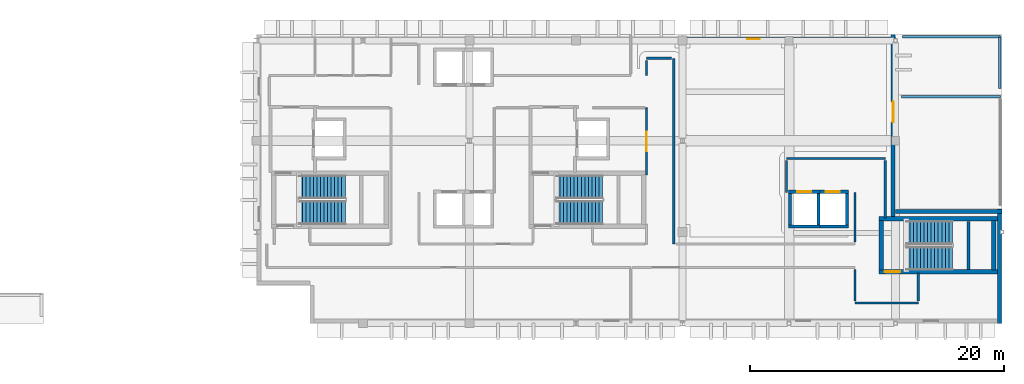
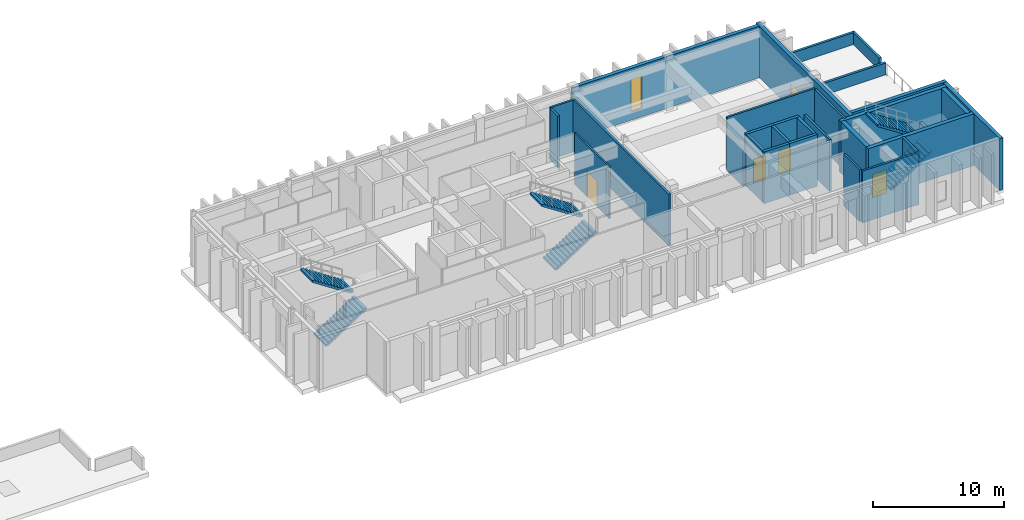
# One storey, part 7 of 9: 30 walls, 6 stair flights, 5 doors, 1 window, 6 openings, 3 elements without a shape of their own.
"""IFC4 building model written with IfcOpenShell, lengths in metres."""

from ifc_helpers import new_model, si_unit, direction, frame, frame_2d, origin, place, context, subcontext, project, spatial, polyline, rectangle, outline, extrude, material, layer, layer_set, type_object, element, fill, aggregate, save


model = new_model("IFC4")

# Units and contexts
model_context = context("Model", 3, precision=1e-05, world=origin(), true_north=direction((0.0, 1.0)))
body_context = subcontext(model_context, "Body", "Model", "MODEL_VIEW")
ifc_project = project(units=[si_unit("LENGTHUNIT", "METRE"), si_unit("AREAUNIT", "SQUARE_METRE"), si_unit("VOLUMEUNIT", "CUBIC_METRE"), si_unit("PLANEANGLEUNIT", "RADIAN"), si_unit("MASSUNIT", "GRAM", prefix="KILO")], contexts=[model_context])

# Site, building, storey
site_placement = place(None, origin())
site = spatial("IfcSite", under=ifc_project, at=site_placement, CompositionType="ELEMENT")
building_placement = place(site_placement, origin())
building = spatial("IfcBuilding", under=site, at=building_placement, Name="Quendrovan Civic Courthouse", CompositionType="ELEMENT")
storey_placement = place(building_placement, frame((0.0, 0.0, 30.60009765625)))
storey = spatial("IfcBuildingStorey", under=building, at=storey_placement, Name="L07", CompositionType="ELEMENT", Elevation=30.60009765625)

# Wall, opening, door
ifc_material_1 = material(Name="Acoustic gypsum stud partition")
ifc_layer_1 = layer(ifc_material_1, 0.139892578125, Name="Acoustic gypsum stud partition")
ifc_layer_set_1 = layer_set([ifc_layer_1], Name="Acoustic gypsum stud partition")
wall_type_1 = type_object("IfcWallType", Name="WL-CHM-140", PredefinedType="PARTITIONING", material=ifc_layer_set_1)
wall_1_placement = place(storey_placement, frame((64.35009765625, 104.60009765625, 0.0), z_axis=(0.0, 0.0, 1.0), x_axis=(0.0, -1.0, 0.0)))
wall_1 = element("IfcWall", 1, at=wall_1_placement, inside=storey, type_object=wall_type_1, Name="L07 Judicial Conference Room Partition 0827", PredefinedType="PARTITIONING", context=body_context, shape_type="SweptSolid", body=[
    extrude(rectangle(XDim=5.300048828125, YDim=0.139892578125, at=frame_2d((2.64990234375, 0.0))), origin(), (0.0, 0.0, 1.0), 4.83984375),
])
opening_1_placement = place(wall_1_placement, frame((1.889892578125, 0.0, 0.0)))
opening_1 = element("IfcOpeningElement", 2, at=opening_1_placement, cuts=wall_1, Name="Opening D-L07-119", PredefinedType="OPENING", context=body_context, shape_type="SweptSolid", body=[
    extrude(rectangle(XDim=1.52001953125, YDim=2.39990234375, at=frame_2d((0.760009765625, 1.199951171875))), frame((0.0, 0.080078125, 0.0), z_axis=(0.0, -1.0, 0.0), x_axis=(1.0, 0.0, 0.0)), (0.0, 0.0, 1.0), 0.159912109375),
])
ifc_material_2 = material(Name="Acoustic timber double-leaf door", Category="wood")
door_type_1 = type_object("IfcDoorType", Name="DR-CONF-1520", OperationType="NOTDEFINED", PredefinedType="DOOR", material=ifc_material_2)
door_1_placement = place(opening_1_placement, origin())
door_1 = element("IfcDoor", 3, at=door_1_placement, inside=storey, type_object=door_type_1, Name="L07 Judicial Conference Room Door D-L07-119", OperationType="SINGLE_SWING_RIGHT", OverallHeight=2.39990234375, OverallWidth=1.52001953125, PredefinedType="DOOR", context=body_context, shape_type="SweptSolid", body=[
    extrude(rectangle(XDim=1.52001953125, YDim=2.39990234375, at=frame_2d((0.760009765625, 1.199951171875))), frame((0.0, 0.02490234375, 0.0), z_axis=(0.0, -1.0, 0.0), x_axis=(1.0, 0.0, 0.0)), (0.0, 0.0, 1.0), 0.050048828125),
])
fill(opening_1, door_1)

ifc_material_3 = material(Name="Concrete C45/55", Category="concrete")
ifc_layer_2 = layer(ifc_material_3, 0.35009765625, Name="Concrete C45/55")
ifc_layer_set_2 = layer_set([ifc_layer_2], Name="Concrete C45/55")
wall_type_2 = type_object("IfcWallType", Name="WL-CORE-350", PredefinedType="SHEAR", material=ifc_layer_set_2)
wall_2_placement = place(storey_placement, frame((82.68994140625, 91.6650390625, 0.0), z_axis=(0.0, 0.0, 1.0), x_axis=(1.0, 0.0, 0.0)))
wall_2 = element("IfcWall", 4, at=wall_2_placement, inside=storey, type_object=wall_type_2, Name="L07 Core Shear Wall ST3-S", PredefinedType="SHEAR", context=body_context, shape_type="SweptSolid", body=[
    extrude(rectangle(XDim=9.41015625, YDim=0.35009765625, at=frame_2d((4.705078125, 0.0))), origin(), (0.0, 0.0, 1.0), 4.83984375),
])
opening_2_placement = place(wall_2_placement, frame((0.449951171875, 0.0, 0.0)))
opening_2 = element("IfcOpeningElement", 5, at=opening_2_placement, cuts=wall_2, Name="Opening DS-ST3-L07", PredefinedType="OPENING", context=body_context, shape_type="SweptSolid", body=[
    extrude(rectangle(XDim=1.25, YDim=2.199951171875, at=frame_2d((0.625, 1.10009765625))), frame((0.0, 0.18505859375, 0.0), z_axis=(0.0, -1.0, 0.0), x_axis=(1.0, 0.0, 0.0)), (0.0, 0.0, 1.0), 0.3701171875),
])
ifc_material_4 = material(Name="Painted galvanized hollow-metal steel", Category="steel")
door_type_2 = type_object("IfcDoorType", Name="DR-STAIR-1250", OperationType="NOTDEFINED", PredefinedType="DOOR", material=ifc_material_4)
door_2_placement = place(opening_2_placement, origin())
door_2 = element("IfcDoor", 6, at=door_2_placement, inside=storey, type_object=door_type_2, Name="L07 Exit Stair ST3 Fire Door", OperationType="SINGLE_SWING_LEFT", OverallHeight=2.199951171875, OverallWidth=1.25, PredefinedType="DOOR", context=body_context, shape_type="SweptSolid", body=[
    extrude(rectangle(XDim=1.25, YDim=2.199951171875, at=frame_2d((0.625, 1.10009765625))), frame((0.0, 0.02490234375, 0.0), z_axis=(0.0, -1.0, 0.0), x_axis=(1.0, 0.0, 0.0)), (0.0, 0.0, 1.0), 0.050048828125),
])
fill(opening_2, door_2)

# Walls
wall_3_placement = place(storey_placement, frame((92.10009765625, 95.8349609375, 0.0), z_axis=(0.0, 0.0, 1.0), x_axis=(-1.0, 0.0, 0.0)))
element("IfcWall", 7, at=wall_3_placement, inside=storey, type_object=wall_type_2, Name="L07 Core Shear Wall ST3-N", PredefinedType="SHEAR", context=body_context, shape_type="SweptSolid", body=[
    extrude(rectangle(XDim=9.41015625, YDim=0.35009765625, at=frame_2d((4.705078125, 0.0))), origin(), (0.0, 0.0, 1.0), 4.83984375),
])
for number, where, z_axis, x_axis, name in (
    (8, (82.864990234375, 91.800048828125, 0.0), (0.0, 0.0, 1.0), (0.0, 1.0, 0.0), "L07 Core Shear Wall ST3-W"),
    (9, (91.735107421875, 95.699951171875, 0.0), (0.0, 0.0, 1.0), (0.0, -1.0, 0.0), "L07 Core Shear Wall ST3-E"),
):
    element("IfcWall", number, at=place(storey_placement, frame(where, z_axis=z_axis, x_axis=x_axis)), inside=storey, type_object=wall_type_2, Name=name, PredefinedType="SHEAR", context=body_context, shape_type="SweptSolid", body=[
        extrude(rectangle(XDim=3.89990234375, YDim=0.35009765625, at=frame_2d((1.949951171875, 0.0))), origin(), (0.0, 0.0, 1.0), 4.83984375),
    ])
ifc_material_5 = material(Name="Acoustic gypsum and mineral wool partition")
ifc_layer_3 = layer(ifc_material_5, 0.179931640625, Name="Acoustic gypsum and mineral wool partition")
ifc_layer_set_3 = layer_set([ifc_layer_3], Name="Acoustic gypsum and mineral wool partition")
wall_type_3 = type_object("IfcWallType", Name="WL-CRT-AC180", PredefinedType="PARTITIONING", material=ifc_layer_set_3)
wall_4_placement = place(storey_placement, frame((66.5, 93.85009765625, 0.0), z_axis=(0.0, 0.0, 1.0), x_axis=(0.0, 1.0, 0.0)))
element("IfcWall", 10, at=wall_4_placement, inside=storey, type_object=wall_type_3, Name="L07 Appellate Courtroom Partition 0823", PredefinedType="PARTITIONING", context=body_context, shape_type="SweptSolid", body=[
    extrude(rectangle(XDim=14.64990234375, YDim=0.179931640625, at=frame_2d((7.324951171875, 0.0))), origin(), (0.0, 0.0, 1.0), 4.83984375),
])
wall_5_placement = place(storey_placement, frame((83.199951171875, 100.60009765625, 0.0), z_axis=(0.0, 0.0, 1.0), x_axis=(-1.0, 0.0, 0.0)))
element("IfcWall", 11, at=wall_5_placement, inside=storey, type_object=wall_type_3, Name="L07 Appellate Courtroom Partition 0830", PredefinedType="PARTITIONING", context=body_context, shape_type="SweptSolid", body=[
    extrude(rectangle(XDim=7.800048828125, YDim=0.179931640625, at=frame_2d((3.89990234375, 0.0))), origin(), (0.0, 0.0, 1.0), 4.83984375),
])
wall_6_placement = place(storey_placement, frame((80.800048828125, 89.199951171875, 0.0), z_axis=(0.0, 0.0, 1.0), x_axis=(1.0, 0.0, 0.0)))
element("IfcWall", 12, at=wall_6_placement, inside=storey, type_object=wall_type_3, Name="L07 Appellate Courtroom Partition 0834", PredefinedType="PARTITIONING", context=body_context, shape_type="SweptSolid", body=[
    extrude(rectangle(XDim=5.0, YDim=0.179931640625, at=frame_2d((2.5, 0.0))), origin(), (0.0, 0.0, 1.0), 4.83984375),
])
wall_7_placement = place(storey_placement, frame((83.199951171875, 95.919921875, 0.0), z_axis=(0.0, 0.0, 1.0), x_axis=(0.0, 1.0, 0.0)))
element("IfcWall", 13, at=wall_7_placement, inside=storey, type_object=wall_type_3, Name="L07 Appellate Courtroom Partition 0835", PredefinedType="PARTITIONING", context=body_context, shape_type="SweptSolid", body=[
    extrude(rectangle(XDim=4.510009765625, YDim=0.179931640625, at=frame_2d((2.2548828125, 0.0))), origin(), (0.0, 0.0, 1.0), 4.83984375),
])
wall_8_placement = place(storey_placement, frame((80.800048828125, 97.89990234375, 0.0), z_axis=(0.0, 0.0, 1.0), x_axis=(0.0, -1.0, 0.0)))
element("IfcWall", 14, at=wall_8_placement, inside=storey, type_object=wall_type_3, Name="L07 Appellate Courtroom Partition 0839", PredefinedType="PARTITIONING", context=body_context, shape_type="SweptSolid", body=[
    extrude(rectangle(XDim=3.8798828125, YDim=0.179931640625, at=frame_2d((1.93994140625, 0.0))), origin(), (0.0, 0.0, 1.0), 4.83984375),
])
wall_9_placement = place(storey_placement, frame((80.800048828125, 91.830078125, 0.0), z_axis=(0.0, 0.0, 1.0), x_axis=(0.0, -1.0, 0.0)))
element("IfcWall", 15, at=wall_9_placement, inside=storey, type_object=wall_type_3, Name="L07 Appellate Courtroom Partition 0849", PredefinedType="PARTITIONING", context=body_context, shape_type="SweptSolid", body=[
    extrude(rectangle(XDim=2.4599609375, YDim=0.179931640625, at=frame_2d((1.22998046875, 0.0))), origin(), (0.0, 0.0, 1.0), 4.83984375),
])
wall_10_placement = place(storey_placement, frame((75.39990234375, 100.429931640625, 0.0), z_axis=(0.0, 0.0, 1.0), x_axis=(0.0, -1.0, 0.0)))
element("IfcWall", 16, at=wall_10_placement, inside=storey, type_object=wall_type_3, Name="L07 Appellate Courtroom Partition 0851", PredefinedType="PARTITIONING", context=body_context, shape_type="SweptSolid", body=[
    extrude(rectangle(XDim=2.530029296875, YDim=0.179931640625, at=frame_2d((1.26513671875, 0.0))), origin(), (0.0, 0.0, 1.0), 3.449951171875),
])
wall_11_placement = place(storey_placement, frame((85.800048828125, 89.3701171875, 0.0), z_axis=(0.0, 0.0, 1.0), x_axis=(0.0, 1.0, 0.0)))
element("IfcWall", 17, at=wall_11_placement, inside=storey, type_object=wall_type_3, Name="L07 Appellate Courtroom Partition 0853", PredefinedType="PARTITIONING", context=body_context, shape_type="SweptSolid", body=[
    extrude(rectangle(XDim=2.2099609375, YDim=0.179931640625, at=frame_2d((1.10498046875, 0.0))), origin(), (0.0, 0.0, 1.0), 4.83984375),
])
wall_12_placement = place(storey_placement, frame((66.330078125, 108.5, 0.0), z_axis=(0.0, 0.0, 1.0), x_axis=(-1.0, 0.0, 0.0)))
element("IfcWall", 18, at=wall_12_placement, inside=storey, type_object=wall_type_3, Name="L07 Appellate Courtroom Partition 0855", PredefinedType="PARTITIONING", context=body_context, shape_type="SweptSolid", body=[
    extrude(rectangle(XDim=1.97998046875, YDim=0.179931640625, at=frame_2d((0.989990234375, 0.0))), origin(), (0.0, 0.0, 1.0), 4.83984375),
])
wall_13_placement = place(storey_placement, frame((64.35009765625, 108.330078125, 0.0), z_axis=(0.0, 0.0, 1.0), x_axis=(0.0, -1.0, 0.0)))
element("IfcWall", 19, at=wall_13_placement, inside=storey, type_object=wall_type_3, Name="L07 Appellate Courtroom Partition 0857", PredefinedType="PARTITIONING", context=body_context, shape_type="SweptSolid", body=[
    extrude(rectangle(XDim=1.18017578125, YDim=0.179931640625, at=frame_2d((0.590087890625, 0.0))), origin(), (0.0, 0.0, 1.0), 4.83984375),
])

# Wall, opening, window
ifc_material_6 = material(Name="Precast concrete C45/55", Category="concrete")
ifc_layer_4 = layer(ifc_material_6, 0.320068359375, Name="Precast concrete C45/55")
ifc_layer_set_4 = layer_set([ifc_layer_4], Name="Precast concrete C45/55")
wall_type_4 = type_object("IfcWallType", Name="WL-EXT-PC320", PredefinedType="SOLIDWALL", material=ifc_layer_set_4)
wall_14_placement = place(storey_placement, frame((67.199951171875, 110.02001953125, 0.0), z_axis=(0.0, 0.0, 1.0), x_axis=(1.0, 0.0, 0.0)))
wall_14 = element("IfcWall", 20, at=wall_14_placement, inside=storey, type_object=wall_type_4, Name="L07 Exterior Precast Concrete Wall 503", PredefinedType="SOLIDWALL", context=body_context, shape_type="SweptSolid", body=[
    extrude(rectangle(XDim=16.800048828125, YDim=0.320068359375, at=frame_2d((8.39990234375, 0.0))), origin(), (0.0, 0.0, 1.0), 4.83984375),
])
opening_3_placement = place(wall_14_placement, frame((5.1201171875, 0.0, 0.75)))
opening_3 = element("IfcOpeningElement", 21, at=opening_3_placement, cuts=wall_14, Name="Opening W14", PredefinedType="OPENING", context=body_context, shape_type="SweptSolid", body=[
    extrude(rectangle(XDim=0.9599609375, YDim=3.050048828125, at=frame_2d((0.47998046875, 1.52490234375))), frame((0.0, 0.169921875, 0.0), z_axis=(0.0, -1.0, 0.0), x_axis=(1.0, 0.0, 0.0)), (0.0, 0.0, 1.0), 0.340087890625),
])
ifc_material_7 = material(Name="Laminated hurricane-impact low-E glass", Category="glass")
window_type = type_object("IfcWindowType", Name="WIN-SLT-14", PartitioningType="SINGLE_PANEL", PredefinedType="WINDOW", material=ifc_material_7)
window_placement = place(opening_3_placement, origin())
window = element("IfcWindow", 22, at=window_placement, inside=storey, type_object=window_type, Name="L07 Courtroom Shaded Slot Window 0047", OverallHeight=3.050048828125, OverallWidth=0.9599609375, PartitioningType="SINGLE_PANEL", PredefinedType="WINDOW", context=body_context, shape_type="SweptSolid", body=[
    extrude(rectangle(XDim=0.9599609375, YDim=3.050048828125, at=frame_2d((0.47998046875, 1.52490234375))), frame((0.0, 0.030029296875, 0.0), z_axis=(0.0, -1.0, 0.0), x_axis=(1.0, 0.0, 0.0)), (0.0, 0.0, 1.0), 0.06005859375),
])
fill(opening_3, window)

# Wall, opening, door
wall_15_placement = place(storey_placement, frame((83.820068359375, 110.39990234375, 0.0), z_axis=(0.0, 0.0, 1.0), x_axis=(0.0, -1.0, 0.0)))
wall_15 = element("IfcWall", 23, at=wall_15_placement, inside=storey, type_object=wall_type_4, Name="L07 Exterior Precast Concrete Wall 504", PredefinedType="SOLIDWALL", context=body_context, shape_type="SweptSolid", body=[
    extrude(rectangle(XDim=14.429931640625, YDim=0.320068359375, at=frame_2d((7.21484375, 0.0))), origin(), (0.0, 0.0, 1.0), 4.83984375),
])
opening_4_placement = place(wall_15_placement, frame((5.326904296875, 0.0, 0.0)))
opening_4 = element("IfcOpeningElement", 24, at=opening_4_placement, cuts=wall_15, Name="Opening DT-L07-1", PredefinedType="OPENING", context=body_context, shape_type="SweptSolid", body=[
    extrude(rectangle(XDim=1.60009765625, YDim=2.35009765625, at=frame_2d((0.800048828125, 1.175048828125))), frame((0.0, 0.169921875, 0.0), z_axis=(0.0, -1.0, 0.0), x_axis=(1.0, 0.0, 0.0)), (0.0, 0.0, 1.0), 0.340087890625),
])
ifc_material_8 = material(Name="Bronze anodised aluminium and low-E glass", Category="aluminium")
door_type_3 = type_object("IfcDoorType", Name="DR-TER-1600", OperationType="NOTDEFINED", PredefinedType="DOOR", material=ifc_material_8)
door_3_placement = place(opening_4_placement, origin())
door_3 = element("IfcDoor", 25, at=door_3_placement, inside=storey, type_object=door_type_3, Name="L07 Judicial Terrace Door DT-L07-1", OperationType="SINGLE_SWING_LEFT", OverallHeight=2.35009765625, OverallWidth=1.60009765625, PredefinedType="DOOR", context=body_context, shape_type="SweptSolid", body=[
    extrude(rectangle(XDim=1.60009765625, YDim=2.35009765625, at=frame_2d((0.800048828125, 1.175048828125))), frame((0.0, 0.02490234375, 0.0), z_axis=(0.0, -1.0, 0.0), x_axis=(1.0, 0.0, 0.0)), (0.0, 0.0, 1.0), 0.050048828125),
])
fill(opening_4, door_3)

# Walls
wall_16_placement = place(storey_placement, frame((84.0, 96.419921875, 0.0), z_axis=(0.0, 0.0, 1.0), x_axis=(1.0, 0.0, 0.0)))
element("IfcWall", 26, at=wall_16_placement, inside=storey, type_object=wall_type_4, Name="L07 Exterior Precast Concrete Wall 505", PredefinedType="SOLIDWALL", context=body_context, shape_type="SweptSolid", body=[
    extrude(rectangle(XDim=8.39990234375, YDim=0.320068359375, at=frame_2d((4.199951171875, 0.0))), origin(), (0.0, 0.0, 1.0), 4.83984375),
])
wall_17_placement = place(storey_placement, frame((92.219970703125, 96.60009765625, 0.0), z_axis=(0.0, 0.0, 1.0), x_axis=(0.0, -1.0, 0.0)))
element("IfcWall", 27, at=wall_17_placement, inside=storey, type_object=wall_type_4, Name="L07 Exterior Precast Concrete Wall 506", PredefinedType="SOLIDWALL", context=body_context, shape_type="SweptSolid", body=[
    extrude(rectangle(XDim=9.0, YDim=0.320068359375, at=frame_2d((4.5, 0.0))), origin(), (0.0, 0.0, 1.0), 4.83984375),
])
ifc_layer_5 = layer(ifc_material_6, 0.2099609375, Name="Precast concrete C45/55")
ifc_layer_set_5 = layer_set([ifc_layer_5], Name="Precast concrete C45/55")
wall_type_5 = type_object("IfcWallType", Name="WL-PARAPET-210", PredefinedType="PARAPET", material=ifc_layer_set_5)
wall_18_placement = place(storey_placement, frame((92.27001953125, 105.4599609375, 0.0), z_axis=(0.0, 0.0, 1.0), x_axis=(-1.0, 0.0, 0.0)))
element("IfcWall", 28, at=wall_18_placement, inside=storey, type_object=wall_type_5, Name="L07 Terrace-to-Roof Dividing Parapet Wall 04", PredefinedType="PARAPET", context=body_context, shape_type="SweptSolid", body=[
    extrude(rectangle(XDim=7.7900390625, YDim=0.2099609375, at=frame_2d((3.89501953125, 0.0))), origin(), (0.0, 0.0, 1.0), 1.119873046875),
])
wall_19_placement = place(storey_placement, frame((84.5400390625, 110.199951171875, 0.0), z_axis=(0.0, 0.0, 1.0), x_axis=(1.0, 0.0, 0.0)))
element("IfcWall", 29, at=wall_19_placement, inside=storey, type_object=wall_type_5, Name="L07 Precast Roof Parapet Wall 65", PredefinedType="PARAPET", context=body_context, shape_type="SweptSolid", body=[
    extrude(rectangle(XDim=7.739990234375, YDim=0.2099609375, at=frame_2d((3.8701171875, 0.0))), origin(), (0.0, 0.0, 1.0), 1.119873046875),
])
wall_20_placement = place(storey_placement, frame((92.219970703125, 110.199951171875, 0.0), z_axis=(0.0, 0.0, 1.0), x_axis=(0.0, -1.0, 0.0)))
element("IfcWall", 30, at=wall_20_placement, inside=storey, type_object=wall_type_5, Name="L07 Precast Roof Parapet Wall 66", PredefinedType="PARAPET", context=body_context, shape_type="SweptSolid", body=[
    extrude(rectangle(XDim=4.06005859375, YDim=0.2099609375, at=frame_2d((2.030029296875, 0.0))), origin(), (0.0, 0.0, 1.0), 1.119873046875),
])
ifc_layer_6 = layer(ifc_material_3, 0.25, Name="Concrete C45/55")
ifc_layer_set_6 = layer_set([ifc_layer_6], Name="Concrete C45/55")
wall_type_6 = type_object("IfcWallType", Name="WL-SHAFT-250", PredefinedType="SHEAR", material=ifc_layer_set_6)
wall_21_placement = place(storey_placement, frame((89.75, 91.85009765625, 0.0), z_axis=(0.0, 0.0, 1.0), x_axis=(0.0, 1.0, 0.0)))
element("IfcWall", 31, at=wall_21_placement, inside=storey, type_object=wall_type_6, Name="L07 Stair ST3 Mid-Landing Bearing Wall", PredefinedType="SHEAR", context=body_context, shape_type="SweptSolid", body=[
    extrude(rectangle(XDim=3.7998046875, YDim=0.25, at=frame_2d((1.89990234375, 0.0))), origin(), (0.0, 0.0, 1.0), 2.369873046875),
])
wall_22_placement = place(storey_placement, frame((75.550048828125, 95.22509765625, 0.0), z_axis=(0.0, 0.0, 1.0), x_axis=(1.0, 0.0, 0.0)))
element("IfcWall", 32, at=wall_22_placement, inside=storey, type_object=wall_type_6, Name="L07 Lift Hoistway Wall PL1 -Y", PredefinedType="SHEAR", context=body_context, shape_type="SweptSolid", body=[
    extrude(rectangle(XDim=2.5, YDim=0.25, at=frame_2d((1.25, 0.0))), origin(), (0.0, 0.0, 1.0), 4.83984375),
])

# Wall, opening, door
wall_23_placement = place(storey_placement, frame((78.050048828125, 97.97509765625, 0.0), z_axis=(0.0, 0.0, 1.0), x_axis=(-1.0, 0.0, 0.0)))
wall_23 = element("IfcWall", 33, at=wall_23_placement, inside=storey, type_object=wall_type_6, Name="L07 Lift Hoistway Wall PL1 +Y", PredefinedType="SHEAR", context=body_context, shape_type="SweptSolid", body=[
    extrude(rectangle(XDim=2.5, YDim=0.25, at=frame_2d((1.25, 0.0))), origin(), (0.0, 0.0, 1.0), 4.83984375),
])
opening_5_placement = place(wall_23_placement, frame((0.699951171875, 0.0, 0.0)))
opening_5 = element("IfcOpeningElement", 34, at=opening_5_placement, cuts=wall_23, Name="Opening LD-PL1-L07", PredefinedType="OPENING", context=body_context, shape_type="SweptSolid", body=[
    extrude(rectangle(XDim=1.10009765625, YDim=2.199951171875, at=frame_2d((0.550048828125, 1.10009765625))), frame((0.0, 0.135009765625, 0.0), z_axis=(0.0, -1.0, 0.0), x_axis=(1.0, 0.0, 0.0)), (0.0, 0.0, 1.0), 0.27001953125),
])
ifc_material_9 = material(Name="Brushed bronze-anodised stainless steel", Category="steel")
door_type_4 = type_object("IfcDoorType", Name="DR-LIFT-LD-PL", OperationType="NOTDEFINED", PredefinedType="DOOR", material=ifc_material_9)
door_4_placement = place(opening_5_placement, origin())
door_4 = element("IfcDoor", 35, at=door_4_placement, inside=storey, type_object=door_type_4, Name="L07 Lift PL1 Sliding Landing Door", OperationType="SLIDING_TO_RIGHT", OverallHeight=2.199951171875, OverallWidth=1.10009765625, PredefinedType="DOOR", context=body_context, shape_type="SweptSolid", body=[
    extrude(rectangle(XDim=1.10009765625, YDim=2.199951171875, at=frame_2d((0.550048828125, 1.10009765625))), frame((0.0, 0.02490234375, 0.0), z_axis=(0.0, -1.0, 0.0), x_axis=(1.0, 0.0, 0.0)), (0.0, 0.0, 1.0), 0.050048828125),
])
fill(opening_5, door_4)

# Walls
for number, where, z_axis, x_axis, name in (
    (36, (75.675048828125, 95.35009765625, 0.0), (0.0, 0.0, 1.0), (0.0, 1.0, 0.0), "L07 Lift Hoistway Wall PL1 -X"),
    (37, (77.925048828125, 97.85009765625, 0.0), (0.0, 0.0, 1.0), (0.0, -1.0, 0.0), "L07 Lift Hoistway Wall PL1 +X"),
    (38, (77.800048828125, 95.22509765625, 0.0), (0.0, 0.0, 1.0), (1.0, 0.0, 0.0), "L07 Lift Hoistway Wall PL2 -Y"),
):
    element("IfcWall", number, at=place(storey_placement, frame(where, z_axis=z_axis, x_axis=x_axis)), inside=storey, type_object=wall_type_6, Name=name, PredefinedType="SHEAR", context=body_context, shape_type="SweptSolid", body=[
        extrude(rectangle(XDim=2.5, YDim=0.25, at=frame_2d((1.25, 0.0))), origin(), (0.0, 0.0, 1.0), 4.83984375),
    ])

# Wall, opening, door
wall_24_placement = place(storey_placement, frame((80.300048828125, 97.97509765625, 0.0), z_axis=(0.0, 0.0, 1.0), x_axis=(-1.0, 0.0, 0.0)))
wall_24 = element("IfcWall", 39, at=wall_24_placement, inside=storey, type_object=wall_type_6, Name="L07 Lift Hoistway Wall PL2 +Y", PredefinedType="SHEAR", context=body_context, shape_type="SweptSolid", body=[
    extrude(rectangle(XDim=2.5, YDim=0.25, at=frame_2d((1.25, 0.0))), origin(), (0.0, 0.0, 1.0), 4.83984375),
])
opening_6_placement = place(wall_24_placement, frame((0.699951171875, 0.0, 0.0)))
opening_6 = element("IfcOpeningElement", 40, at=opening_6_placement, cuts=wall_24, Name="Opening LD-PL2-L07", PredefinedType="OPENING", context=body_context, shape_type="SweptSolid", body=[
    extrude(rectangle(XDim=1.10009765625, YDim=2.199951171875, at=frame_2d((0.550048828125, 1.10009765625))), frame((0.0, 0.135009765625, 0.0), z_axis=(0.0, -1.0, 0.0), x_axis=(1.0, 0.0, 0.0)), (0.0, 0.0, 1.0), 0.27001953125),
])
door_5_placement = place(opening_6_placement, origin())
door_5 = element("IfcDoor", 41, at=door_5_placement, inside=storey, type_object=door_type_4, Name="L07 Lift PL2 Sliding Landing Door", OperationType="SLIDING_TO_RIGHT", OverallHeight=2.199951171875, OverallWidth=1.10009765625, PredefinedType="DOOR", context=body_context, shape_type="SweptSolid", body=[
    extrude(rectangle(XDim=1.10009765625, YDim=2.199951171875, at=frame_2d((0.550048828125, 1.10009765625))), frame((0.0, 0.02490234375, 0.0), z_axis=(0.0, -1.0, 0.0), x_axis=(1.0, 0.0, 0.0)), (0.0, 0.0, 1.0), 0.050048828125),
])
fill(opening_6, door_5)

# Wall
wall_25_placement = place(storey_placement, frame((80.175048828125, 97.85009765625, 0.0), z_axis=(0.0, 0.0, 1.0), x_axis=(0.0, -1.0, 0.0)))
element("IfcWall", 42, at=wall_25_placement, inside=storey, type_object=wall_type_6, Name="L07 Lift Hoistway Wall PL2 +X", PredefinedType="SHEAR", context=body_context, shape_type="SweptSolid", body=[
    extrude(rectangle(XDim=2.5, YDim=0.25, at=frame_2d((1.25, 0.0))), origin(), (0.0, 0.0, 1.0), 4.83984375),
])

# Stair, stair flights
ifc_material_10 = material(Name="Concrete C40/50", Category="concrete")
stair_type = type_object("IfcStairType", Name="STR-CORE-5100", PredefinedType="HALF_TURN_STAIR", material=ifc_material_10)
stair_1_placement = place(storey_placement, origin())
stair_1 = element("IfcStair", 43, at=stair_1_placement, inside=storey, type_object=stair_type, Name="L07 West Judicial and Public Exit Stair 1", PredefinedType="HALF_TURN_STAIR")
stair_flight_type = type_object("IfcStairFlightType", Name="FLT-CORE-5100", PredefinedType="STRAIGHT", material=ifc_material_10)
stair_flight_1_placement = place(storey_placement, frame((36.949951171875, 96.324951171875, 0.0), z_axis=(0.0, 0.0, 1.0), x_axis=(1.0, 0.0, 0.0)))
stair_flight_1 = element("IfcStairFlight", 44, at=stair_flight_1_placement, type_object=stair_flight_type, Name="ST1 flight 1", NumberOfRisers=14, NumberOfTreads=13, PredefinedType="STRAIGHT", RiserHeight=0.182142857, TreadLength=0.28, context=body_context, shape_type="SweptSolid", body=[
    extrude(outline(polyline([(0.0, 0.0), (0.0, 0.18212890625), (0.280029296875, 0.18212890625), (0.280029296875, 0.3642578125), (0.56005859375, 0.3642578125), (0.56005859375, 0.54638671875), (0.840087890625, 0.54638671875), (0.840087890625, 0.728515625), (1.1201171875, 0.728515625), (1.1201171875, 0.91064453125), (1.39990234375, 0.91064453125), (1.39990234375, 1.0927734375), (1.679931640625, 1.0927734375), (1.679931640625, 1.27490234375), (1.9599609375, 1.27490234375), (1.9599609375, 1.45703125), (2.239990234375, 1.45703125), (2.239990234375, 1.639404296875), (2.52001953125, 1.639404296875), (2.52001953125, 1.821533203125), (2.800048828125, 1.821533203125), (2.800048828125, 2.003662109375), (3.080078125, 2.003662109375), (3.080078125, 2.185791015625), (3.360107421875, 2.185791015625), (3.360107421875, 2.367919921875), (3.639892578125, 2.367919921875), (3.639892578125, 2.550048828125), (3.639892578125, 2.18896484375), (0.27490234375, 0.0), (0.0, 0.0)])), frame((0.0, 0.925048828125, 0.0), z_axis=(0.0, -1.0, 0.0), x_axis=(1.0, 0.0, 0.0)), (0.0, 0.0, 1.0), 1.85009765625),
])
stair_flight_2_placement = place(storey_placement, frame((40.590087890625, 98.35498046875, 2.5498046875), z_axis=(0.0, 0.0, 1.0), x_axis=(-1.0, 0.0, 0.0)))
stair_flight_2 = element("IfcStairFlight", 45, at=stair_flight_2_placement, type_object=stair_flight_type, Name="ST1 flight 2", NumberOfRisers=14, NumberOfTreads=13, PredefinedType="STRAIGHT", RiserHeight=0.182142857, TreadLength=0.28, context=body_context, shape_type="SweptSolid", body=[
    extrude(outline(polyline([(0.0, 0.0), (0.0, 0.18212890625), (0.280029296875, 0.18212890625), (0.280029296875, 0.3642578125), (0.56005859375, 0.3642578125), (0.56005859375, 0.54638671875), (0.840087890625, 0.54638671875), (0.840087890625, 0.728515625), (1.1201171875, 0.728515625), (1.1201171875, 0.91064453125), (1.39990234375, 0.91064453125), (1.39990234375, 1.0927734375), (1.679931640625, 1.0927734375), (1.679931640625, 1.27490234375), (1.9599609375, 1.27490234375), (1.9599609375, 1.45703125), (2.239990234375, 1.45703125), (2.239990234375, 1.639404296875), (2.52001953125, 1.639404296875), (2.52001953125, 1.821533203125), (2.800048828125, 1.821533203125), (2.800048828125, 2.003662109375), (3.080078125, 2.003662109375), (3.080078125, 2.185791015625), (3.360107421875, 2.185791015625), (3.360107421875, 2.367919921875), (3.639892578125, 2.367919921875), (3.639892578125, 2.550048828125), (3.639892578125, 2.18896484375), (0.27490234375, 0.0), (0.0, 0.0)])), frame((0.0, 0.925048828125, 0.0), z_axis=(0.0, -1.0, 0.0), x_axis=(1.0, 0.0, 0.0)), (0.0, 0.0, 1.0), 1.85009765625),
])
aggregate(stair_1, [stair_flight_1, stair_flight_2])

stair_2_placement = place(storey_placement, origin())
stair_2 = element("IfcStair", 46, at=stair_2_placement, inside=storey, type_object=stair_type, Name="L07 Central Judicial and Firefighting Exit Stair 2", PredefinedType="HALF_TURN_STAIR")
stair_flight_3_placement = place(storey_placement, frame((57.25, 96.324951171875, 0.0), z_axis=(0.0, 0.0, 1.0), x_axis=(1.0, 0.0, 0.0)))
stair_flight_3 = element("IfcStairFlight", 47, at=stair_flight_3_placement, type_object=stair_flight_type, Name="ST2 flight 1", NumberOfRisers=14, NumberOfTreads=13, PredefinedType="STRAIGHT", RiserHeight=0.182142857, TreadLength=0.28, context=body_context, shape_type="SweptSolid", body=[
    extrude(outline(polyline([(0.0, 0.0), (0.0, 0.18212890625), (0.280029296875, 0.18212890625), (0.280029296875, 0.3642578125), (0.56005859375, 0.3642578125), (0.56005859375, 0.54638671875), (0.840087890625, 0.54638671875), (0.840087890625, 0.728515625), (1.1201171875, 0.728515625), (1.1201171875, 0.91064453125), (1.39990234375, 0.91064453125), (1.39990234375, 1.0927734375), (1.679931640625, 1.0927734375), (1.679931640625, 1.27490234375), (1.9599609375, 1.27490234375), (1.9599609375, 1.45703125), (2.239990234375, 1.45703125), (2.239990234375, 1.639404296875), (2.52001953125, 1.639404296875), (2.52001953125, 1.821533203125), (2.800048828125, 1.821533203125), (2.800048828125, 2.003662109375), (3.080078125, 2.003662109375), (3.080078125, 2.185791015625), (3.360107421875, 2.185791015625), (3.360107421875, 2.367919921875), (3.639892578125, 2.367919921875), (3.639892578125, 2.550048828125), (3.639892578125, 2.18896484375), (0.27490234375, 0.0), (0.0, 0.0)])), frame((0.0, 0.925048828125, 0.0), z_axis=(0.0, -1.0, 0.0), x_axis=(1.0, 0.0, 0.0)), (0.0, 0.0, 1.0), 1.85009765625),
])
stair_flight_4_placement = place(storey_placement, frame((60.889892578125, 98.35498046875, 2.5498046875), z_axis=(0.0, 0.0, 1.0), x_axis=(-1.0, 0.0, 0.0)))
stair_flight_4 = element("IfcStairFlight", 48, at=stair_flight_4_placement, type_object=stair_flight_type, Name="ST2 flight 2", NumberOfRisers=14, NumberOfTreads=13, PredefinedType="STRAIGHT", RiserHeight=0.182142857, TreadLength=0.28, context=body_context, shape_type="SweptSolid", body=[
    extrude(outline(polyline([(0.0, 0.0), (0.0, 0.18212890625), (0.280029296875, 0.18212890625), (0.280029296875, 0.3642578125), (0.56005859375, 0.3642578125), (0.56005859375, 0.54638671875), (0.840087890625, 0.54638671875), (0.840087890625, 0.728515625), (1.1201171875, 0.728515625), (1.1201171875, 0.91064453125), (1.39990234375, 0.91064453125), (1.39990234375, 1.0927734375), (1.679931640625, 1.0927734375), (1.679931640625, 1.27490234375), (1.9599609375, 1.27490234375), (1.9599609375, 1.45703125), (2.239990234375, 1.45703125), (2.239990234375, 1.639404296875), (2.52001953125, 1.639404296875), (2.52001953125, 1.821533203125), (2.800048828125, 1.821533203125), (2.800048828125, 2.003662109375), (3.080078125, 2.003662109375), (3.080078125, 2.185791015625), (3.360107421875, 2.185791015625), (3.360107421875, 2.367919921875), (3.639892578125, 2.367919921875), (3.639892578125, 2.550048828125), (3.639892578125, 2.18896484375), (0.27490234375, 0.0), (0.0, 0.0)])), frame((0.0, 0.925048828125, 0.0), z_axis=(0.0, -1.0, 0.0), x_axis=(1.0, 0.0, 0.0)), (0.0, 0.0, 1.0), 1.85009765625),
])
aggregate(stair_2, [stair_flight_3, stair_flight_4])

stair_3_placement = place(storey_placement, origin())
stair_3 = element("IfcStair", 49, at=stair_3_placement, inside=storey, type_object=stair_type, Name="L07 East Court Block Exit Stair 3", PredefinedType="HALF_TURN_STAIR")
stair_flight_5_placement = place(storey_placement, frame((84.85009765625, 92.72509765625, 0.0), z_axis=(0.0, 0.0, 1.0), x_axis=(1.0, 0.0, 0.0)))
stair_flight_5 = element("IfcStairFlight", 50, at=stair_flight_5_placement, type_object=stair_flight_type, Name="ST3 flight 1", NumberOfRisers=14, NumberOfTreads=13, PredefinedType="STRAIGHT", RiserHeight=0.182142857, TreadLength=0.28, context=body_context, shape_type="SweptSolid", body=[
    extrude(outline(polyline([(0.0, 0.0), (0.0, 0.18212890625), (0.280029296875, 0.18212890625), (0.280029296875, 0.3642578125), (0.56005859375, 0.3642578125), (0.56005859375, 0.54638671875), (0.840087890625, 0.54638671875), (0.840087890625, 0.728515625), (1.1201171875, 0.728515625), (1.1201171875, 0.91064453125), (1.39990234375, 0.91064453125), (1.39990234375, 1.0927734375), (1.679931640625, 1.0927734375), (1.679931640625, 1.27490234375), (1.9599609375, 1.27490234375), (1.9599609375, 1.45703125), (2.239990234375, 1.45703125), (2.239990234375, 1.639404296875), (2.52001953125, 1.639404296875), (2.52001953125, 1.821533203125), (2.800048828125, 1.821533203125), (2.800048828125, 2.003662109375), (3.080078125, 2.003662109375), (3.080078125, 2.185791015625), (3.360107421875, 2.185791015625), (3.360107421875, 2.367919921875), (3.639892578125, 2.367919921875), (3.639892578125, 2.550048828125), (3.639892578125, 2.18896484375), (0.27490234375, 0.0), (0.0, 0.0)])), frame((0.0, 0.925048828125, 0.0), z_axis=(0.0, -1.0, 0.0), x_axis=(1.0, 0.0, 0.0)), (0.0, 0.0, 1.0), 1.85009765625),
])
stair_flight_6_placement = place(storey_placement, frame((88.489990234375, 94.7548828125, 2.5498046875), z_axis=(0.0, 0.0, 1.0), x_axis=(-1.0, 0.0, 0.0)))
stair_flight_6 = element("IfcStairFlight", 51, at=stair_flight_6_placement, type_object=stair_flight_type, Name="ST3 flight 2", NumberOfRisers=14, NumberOfTreads=13, PredefinedType="STRAIGHT", RiserHeight=0.182142857, TreadLength=0.28, context=body_context, shape_type="SweptSolid", body=[
    extrude(outline(polyline([(0.0, 0.0), (0.0, 0.18212890625), (0.280029296875, 0.18212890625), (0.280029296875, 0.3642578125), (0.56005859375, 0.3642578125), (0.56005859375, 0.54638671875), (0.840087890625, 0.54638671875), (0.840087890625, 0.728515625), (1.1201171875, 0.728515625), (1.1201171875, 0.91064453125), (1.39990234375, 0.91064453125), (1.39990234375, 1.0927734375), (1.679931640625, 1.0927734375), (1.679931640625, 1.27490234375), (1.9599609375, 1.27490234375), (1.9599609375, 1.45703125), (2.239990234375, 1.45703125), (2.239990234375, 1.639404296875), (2.52001953125, 1.639404296875), (2.52001953125, 1.821533203125), (2.800048828125, 1.821533203125), (2.800048828125, 2.003662109375), (3.080078125, 2.003662109375), (3.080078125, 2.185791015625), (3.360107421875, 2.185791015625), (3.360107421875, 2.367919921875), (3.639892578125, 2.367919921875), (3.639892578125, 2.550048828125), (3.639892578125, 2.18896484375), (0.27490234375, 0.0), (0.0, 0.0)])), frame((0.0, 0.925048828125, 0.0), z_axis=(0.0, -1.0, 0.0), x_axis=(1.0, 0.0, 0.0)), (0.0, 0.0, 1.0), 1.85009765625),
])
aggregate(stair_3, [stair_flight_5, stair_flight_6])

save(model, "model.ifc")
